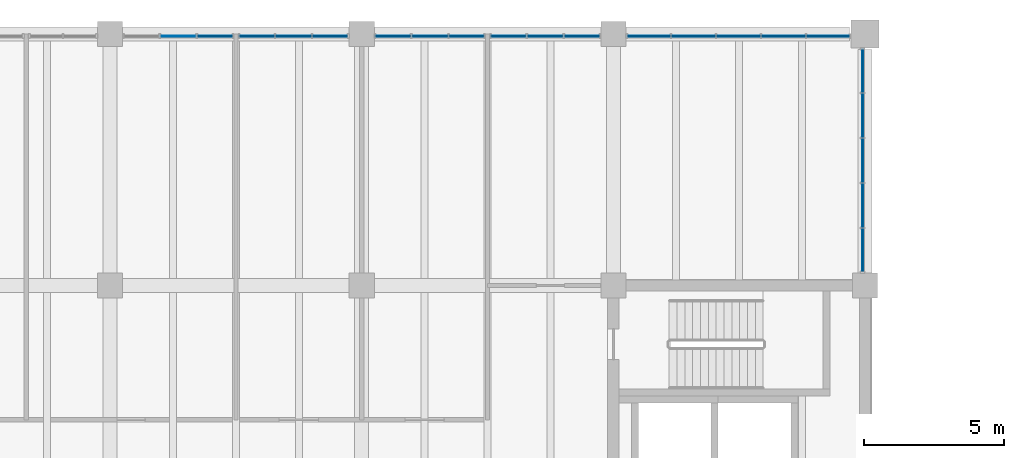
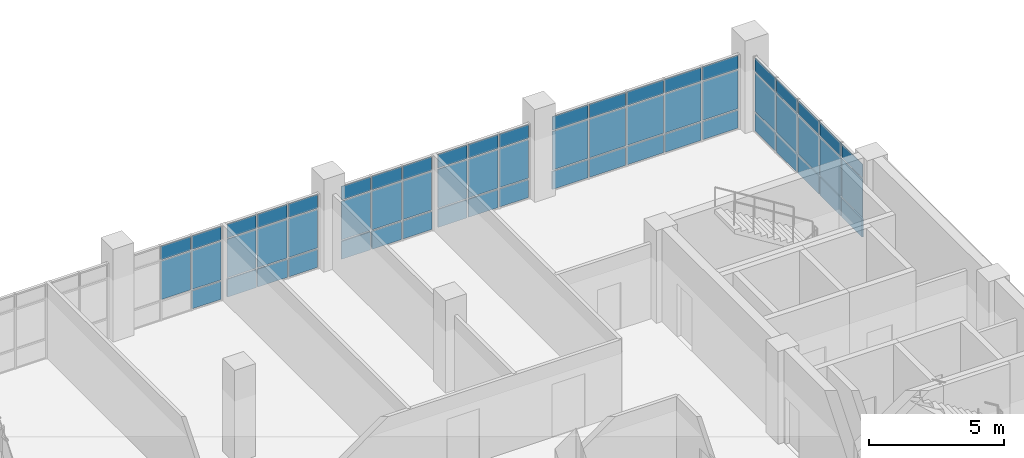
# One storey, part 48 of 88: 62 plates, 6 elements without a shape of their own.
"""IFC4 building model written with IfcOpenShell, lengths in metres."""

import ifcopenshell
import ifcopenshell.guid

model = None  # the IFC model being written
_history = None  # IfcOwnerHistory: only IFC2X3 demands one
_inside = {}  # id of a spatial element -> (the spatial element, [elements in it])
_under = {}  # id of a project, library or spatial element -> (it, [spatial elements below it])
_declared = {}  # id of a project -> (the project, [libraries it declares])
_typed = {}  # id of a type object -> (the type object, [elements of that type])
_made_of = {}  # id of a material, layer set ... -> (it, [elements and type objects made of it])


def new_model(schema):
    """Start an empty IFC model of exactly this schema.

    Asked for "IFC4X3", IfcOpenShell would pick the latest addendum, in which some entities
    have other attributes; the version numbers below select the first issue.
    IFC2X3 requires an IfcOwnerHistory on every rooted entity: one is made here for all.
    """
    global model, _history
    if schema == "IFC4X3":
        model = ifcopenshell.file(schema_version=(4, 3, 0, 0))
    else:
        model = ifcopenshell.file(schema=schema)
    _inside.clear()
    _under.clear()
    _declared.clear()
    _typed.clear()
    _made_of.clear()
    _history = None
    if model.schema == "IFC2X3":
        org = make("IfcOrganization", Name="unknown")
        user = make(
            "IfcPersonAndOrganization",
            ThePerson=make("IfcPerson", FamilyName="unknown"),
            TheOrganization=org,
        )
        app = make(
            "IfcApplication",
            ApplicationDeveloper=org,
            Version="unknown",
            ApplicationFullName="unknown",
            ApplicationIdentifier="unknown",
        )
        _history = make(
            "IfcOwnerHistory",
            OwningUser=user,
            OwningApplication=app,
            ChangeAction="ADDED",
            CreationDate=0,
        )
    return model


def make(cls, **values):
    """One entity of the class cls with the attributes given. An attribute that is None is left unset."""
    return model.create_entity(
        cls, **{name: value for name, value in values.items() if value is not None}
    )


def rooted(cls, **values):
    """An entity with a GlobalId (a new one), such as an element, a storey or a relation."""
    return make(cls, GlobalId=ifcopenshell.guid.new(), OwnerHistory=_history, **values)


def si_unit(unit_type, name, prefix=None):
    """IfcSIUnit, for example si_unit("LENGTHUNIT", "METRE", prefix="MILLI")."""
    return make("IfcSIUnit", UnitType=unit_type, Prefix=prefix, Name=name)


def assignment(units):
    """IfcUnitAssignment: the units of a project."""
    return None if units is None else make("IfcUnitAssignment", Units=units)


def point(xyz):
    """IfcCartesianPoint."""
    return None if xyz is None else make("IfcCartesianPoint", Coordinates=xyz)


def direction(xyz):
    """IfcDirection."""
    return None if xyz is None else make("IfcDirection", DirectionRatios=xyz)


def frame(location, z_axis=None, x_axis=None):
    """IfcAxis2Placement3D, a coordinate frame: its origin and axes. An axis left out is left unset."""
    return make(
        "IfcAxis2Placement3D",
        Location=point(location),
        Axis=direction(z_axis),
        RefDirection=direction(x_axis),
    )


def frame_2d(location, x_axis=None):
    """IfcAxis2Placement2D, a coordinate frame in the plane: its origin and x axis."""
    return make(
        "IfcAxis2Placement2D", Location=point(location), RefDirection=direction(x_axis)
    )


def origin():
    """The frame at (0, 0, 0) with its axes left unset."""
    return frame((0.0, 0.0, 0.0))


def origin_2d():
    """The frame at (0, 0) in the plane with its x axis left unset."""
    return frame_2d((0.0, 0.0))


def place(relative_to, where):
    """IfcLocalPlacement: puts the frame where relative to a parent placement (None: the world)."""
    return make(
        "IfcLocalPlacement", PlacementRelTo=relative_to, RelativePlacement=where
    )


def context(
    kind, dimensions, precision=None, world=None, true_north=None, identifier=None
):
    """IfcGeometricRepresentationContext, for example the 3D "Model" context."""
    return make(
        "IfcGeometricRepresentationContext",
        ContextIdentifier=identifier,
        ContextType=kind,
        CoordinateSpaceDimension=dimensions,
        Precision=precision,
        WorldCoordinateSystem=world,
        TrueNorth=true_north,
    )


def subcontext(parent, identifier, kind, view, scale=None):
    """IfcGeometricRepresentationSubContext, for example "Body" below "Model"."""
    return make(
        "IfcGeometricRepresentationSubContext",
        ContextIdentifier=identifier,
        ContextType=kind,
        ParentContext=parent,
        TargetScale=scale,
        TargetView=view,
    )


def project(units=None, contexts=None):
    """IfcProject with its units and contexts."""
    return rooted(
        "IfcProject",
        Name="project",
        RepresentationContexts=contexts,
        UnitsInContext=assignment(units),
    )


def spatial(cls, under=None, at=None, **own):
    """A site, building, storey or space (cls), placed at a placement, below another one or the project."""
    s = rooted(cls, ObjectPlacement=at, **own)
    if under is not None:
        _under.setdefault(under.id(), (under, []))[1].append(s)
    return s


def profile(cls, at=None, kind="AREA", **sizes):
    """A parametric profile (cls). Its sizes go by their IFC names, for example OverallWidth=200.0."""
    return make(cls, ProfileType=kind, Position=at, **sizes)


def rectangle(**sizes):
    """IfcRectangleProfileDef."""
    return profile("IfcRectangleProfileDef", **sizes)


def extrude(swept, where, along, depth):
    """IfcExtrudedAreaSolid: the profile swept, set in the frame where, extruded along a direction by depth."""
    return make(
        "IfcExtrudedAreaSolid",
        SweptArea=swept,
        Position=where,
        ExtrudedDirection=direction(along),
        Depth=depth,
    )


def shape(context_of_items, identifier, shape_type, items):
    """IfcShapeRepresentation: the items that make up one representation, for example the "Body"."""
    return make(
        "IfcShapeRepresentation",
        ContextOfItems=context_of_items,
        RepresentationIdentifier=identifier,
        RepresentationType=shape_type,
        Items=items,
    )


def material(Name=None, Category=None):
    """IfcMaterial."""
    return make("IfcMaterial", Name=Name, Category=Category)


def layer(
    of_material, thickness, ventilated=None, Name=None, Category=None, Priority=None
):
    """IfcMaterialLayer: one layer of a wall or slab, of a material (None: an air gap)."""
    return make(
        "IfcMaterialLayer",
        Material=of_material,
        LayerThickness=thickness,
        IsVentilated=ventilated,
        Name=Name,
        Category=Category,
        Priority=Priority,
    )


def layer_set(layers, Name=None):
    """IfcMaterialLayerSet."""
    return make("IfcMaterialLayerSet", MaterialLayers=layers, LayerSetName=Name)


def made_of(thing, what):
    """Note that an element or type object is made of a material, layer set ...; save() writes the relation."""
    if what is not None:
        _made_of.setdefault(what.id(), (what, []))[1].append(thing)
    return thing


def type_object(cls, material=None, **own):
    """A type object (cls), such as IfcWallType, which elements share."""
    return made_of(rooted(cls, **own), material)


def element(
    cls,
    number,
    at=None,
    inside=None,
    cuts=None,
    type_object=None,
    material=None,
    context=None,
    identifier="Body",
    shape_type=None,
    held_by="IfcProductDefinitionShape",
    body=None,
    shapes=None,
    **own,
):
    """One element of the class cls, such as IfcWall. Its Tag is "e" and its number.

    at: its placement. inside: the storey or other place that contains it. cuts: it is an
    opening in that element (IfcRelVoidsElement). A single representation is given by context,
    identifier, shape_type and body (its items); several are given by shapes. held_by: the class
    of the entity that holds the representations. save() writes the other relations.
    """
    e = rooted(cls, Tag="e%d" % number, ObjectPlacement=at, **own)
    if body is not None:
        shapes = [shape(context, identifier, shape_type, body)]
    if shapes is not None:
        e.Representation = make(held_by, Representations=shapes)
    if inside is not None:
        _inside.setdefault(inside.id(), (inside, []))[1].append(e)
    if cuts is not None:
        rooted(
            "IfcRelVoidsElement", RelatingBuildingElement=cuts, RelatedOpeningElement=e
        )
    if type_object is not None:
        _typed.setdefault(type_object.id(), (type_object, []))[1].append(e)
    return made_of(e, material)


def aggregate(whole, parts):
    """IfcRelAggregates: a whole, such as a stair, and the parts it consists of."""
    return rooted("IfcRelAggregates", RelatingObject=whole, RelatedObjects=parts)


def save(model, path):
    """Write the relations noted so far, then the file.

    IfcRelAggregates (storeys below a building ...), IfcRelContainedInSpatialStructure (elements
    in a storey), IfcRelDefinesByType, IfcRelAssociatesMaterial and IfcRelDeclares: one each for
    every whole, place, type object, material and project.
    """
    for whole, parts in _under.values():
        aggregate(whole, parts)
    for where, things in _inside.values():
        rooted(
            "IfcRelContainedInSpatialStructure",
            RelatedElements=things,
            RelatingStructure=where,
        )
    for kind, things in _typed.values():
        rooted("IfcRelDefinesByType", RelatedObjects=things, RelatingType=kind)
    for what, things in _made_of.values():
        rooted("IfcRelAssociatesMaterial", RelatedObjects=things, RelatingMaterial=what)
    for by, libraries in _declared.values():
        rooted("IfcRelDeclares", RelatingContext=by, RelatedDefinitions=libraries)
    model.write(path)


model = new_model("IFC4")

# Units and contexts
model_context = context("Model", 3, precision=1e-05, world=origin(), true_north=direction((0.0, 1.0)))
body_context = subcontext(model_context, "Body", "Model", "MODEL_VIEW")
ifc_project = project(units=[si_unit("LENGTHUNIT", "METRE"), si_unit("AREAUNIT", "SQUARE_METRE"), si_unit("VOLUMEUNIT", "CUBIC_METRE"), si_unit("PLANEANGLEUNIT", "RADIAN"), si_unit("MASSUNIT", "GRAM", prefix="KILO")], contexts=[model_context])

# Site, building, storey
site_placement = place(None, origin())
site = spatial("IfcSite", under=ifc_project, at=site_placement, CompositionType="ELEMENT")
building_placement = place(site_placement, origin())
building = spatial("IfcBuilding", under=site, at=building_placement, Name="Merrow Basin Faculty of Sciences", CompositionType="ELEMENT")
storey_placement = place(building_placement, frame((0.0, 0.0, 9.0)))
storey = spatial("IfcBuildingStorey", under=building, at=storey_placement, Name="L02", CompositionType="ELEMENT", Elevation=9.0)

# Curtain wall, plate
ifc_material_1 = material(Name="Aluminium alloy 6063", Category="aluminium")
curtain_wall_type = type_object("IfcCurtainWallType", Name="Unitised curtain wall 160", PredefinedType="NOTDEFINED", material=ifc_material_1)
curtain_wall_1_placement = place(storey_placement, origin())
curtain_wall_1 = element("IfcCurtainWall", 1, at=curtain_wall_1_placement, inside=storey, type_object=curtain_wall_type, Name="N curtain wall L02 3", PredefinedType="NOTDEFINED")
ifc_material_2 = material(Name="Insulated aluminium spandrel panel", Category="aluminium")
ifc_layer_1 = layer(ifc_material_2, 0.052001953125)
ifc_layer_set_1 = layer_set([ifc_layer_1], Name="Insulated spandrel panel 52")
plate_type_1 = type_object("IfcPlateType", Name="Insulated spandrel panel 52", PredefinedType="CURTAIN_PANEL", material=ifc_layer_set_1)
plate_1_placement = place(storey_placement, frame((30.74755859375, 168.919921875, 0.06005859375), z_axis=(0.0, 0.0, 1.0), x_axis=(1.0, 0.0, 0.0)))
plate_1 = element("IfcPlate", 2, at=plate_1_placement, type_object=plate_type_1, Name="CW3 panel 3.1", PredefinedType="CURTAIN_PANEL", context=body_context, shape_type="SweptSolid", body=[
    extrude(rectangle(XDim=1.235107421875, YDim=0.052001953125, at=origin_2d()), origin(), (0.0, 0.0, 1.0), 0.81005859375),
])

# Curtain wall, plates
curtain_wall_2_placement = place(storey_placement, origin())
curtain_wall_2 = element("IfcCurtainWall", 3, at=curtain_wall_2_placement, inside=storey, type_object=curtain_wall_type, Name="N curtain wall L02 4", PredefinedType="NOTDEFINED")
plate_2_placement = place(storey_placement, frame((32.25244140625, 168.919921875, 0.06005859375), z_axis=(0.0, 0.0, 1.0), x_axis=(1.0, 0.0, 0.0)))
plate_2 = element("IfcPlate", 4, at=plate_2_placement, type_object=plate_type_1, Name="CW3 panel 1.1", PredefinedType="CURTAIN_PANEL", context=body_context, shape_type="SweptSolid", body=[
    extrude(rectangle(XDim=1.235107421875, YDim=0.052001953125, at=origin_2d()), origin(), (0.0, 0.0, 1.0), 0.81005859375),
])
plate_3_placement = place(storey_placement, frame((33.5625, 168.919921875, 0.06005859375), z_axis=(0.0, 0.0, 1.0), x_axis=(1.0, 0.0, 0.0)))
plate_3 = element("IfcPlate", 5, at=plate_3_placement, type_object=plate_type_1, Name="CW3 panel 2.1", PredefinedType="CURTAIN_PANEL", context=body_context, shape_type="SweptSolid", body=[
    extrude(rectangle(XDim=1.264892578125, YDim=0.052001953125, at=origin_2d()), origin(), (0.0, 0.0, 1.0), 0.81005859375),
])
plate_4_placement = place(storey_placement, frame((34.87255859375, 168.919921875, 0.06005859375), z_axis=(0.0, 0.0, 1.0), x_axis=(1.0, 0.0, 0.0)))
plate_4 = element("IfcPlate", 6, at=plate_4_placement, type_object=plate_type_1, Name="CW3 panel 3.1", PredefinedType="CURTAIN_PANEL", context=body_context, shape_type="SweptSolid", body=[
    extrude(rectangle(XDim=1.235107421875, YDim=0.052001953125, at=origin_2d()), origin(), (0.0, 0.0, 1.0), 0.81005859375),
])

curtain_wall_3_placement = place(storey_placement, origin())
curtain_wall_3 = element("IfcCurtainWall", 7, at=curtain_wall_3_placement, inside=storey, type_object=curtain_wall_type, Name="N curtain wall L02 5", PredefinedType="NOTDEFINED")
plate_5_placement = place(storey_placement, frame((37.12744140625, 168.919921875, 0.06005859375), z_axis=(0.0, 0.0, 1.0), x_axis=(1.0, 0.0, 0.0)))
plate_5 = element("IfcPlate", 8, at=plate_5_placement, type_object=plate_type_1, Name="CW3 panel 1.1", PredefinedType="CURTAIN_PANEL", context=body_context, shape_type="SweptSolid", body=[
    extrude(rectangle(XDim=1.235107421875, YDim=0.052001953125, at=origin_2d()), origin(), (0.0, 0.0, 1.0), 0.81005859375),
])
plate_6_placement = place(storey_placement, frame((38.4375, 168.919921875, 0.06005859375), z_axis=(0.0, 0.0, 1.0), x_axis=(1.0, 0.0, 0.0)))
plate_6 = element("IfcPlate", 9, at=plate_6_placement, type_object=plate_type_1, Name="CW3 panel 2.1", PredefinedType="CURTAIN_PANEL", context=body_context, shape_type="SweptSolid", body=[
    extrude(rectangle(XDim=1.264892578125, YDim=0.052001953125, at=origin_2d()), origin(), (0.0, 0.0, 1.0), 0.81005859375),
])
plate_7_placement = place(storey_placement, frame((39.74755859375, 168.919921875, 0.06005859375), z_axis=(0.0, 0.0, 1.0), x_axis=(1.0, 0.0, 0.0)))
plate_7 = element("IfcPlate", 10, at=plate_7_placement, type_object=plate_type_1, Name="CW3 panel 3.1", PredefinedType="CURTAIN_PANEL", context=body_context, shape_type="SweptSolid", body=[
    extrude(rectangle(XDim=1.235107421875, YDim=0.052001953125, at=origin_2d()), origin(), (0.0, 0.0, 1.0), 0.81005859375),
])

curtain_wall_4_placement = place(storey_placement, origin())
curtain_wall_4 = element("IfcCurtainWall", 11, at=curtain_wall_4_placement, inside=storey, type_object=curtain_wall_type, Name="N curtain wall L02 6", PredefinedType="NOTDEFINED")
plate_8_placement = place(storey_placement, frame((41.25244140625, 168.919921875, 0.06005859375), z_axis=(0.0, 0.0, 1.0), x_axis=(1.0, 0.0, 0.0)))
plate_8 = element("IfcPlate", 12, at=plate_8_placement, type_object=plate_type_1, Name="CW3 panel 1.1", PredefinedType="CURTAIN_PANEL", context=body_context, shape_type="SweptSolid", body=[
    extrude(rectangle(XDim=1.235107421875, YDim=0.052001953125, at=origin_2d()), origin(), (0.0, 0.0, 1.0), 0.81005859375),
])
plate_9_placement = place(storey_placement, frame((42.5625, 168.919921875, 0.06005859375), z_axis=(0.0, 0.0, 1.0), x_axis=(1.0, 0.0, 0.0)))
plate_9 = element("IfcPlate", 13, at=plate_9_placement, type_object=plate_type_1, Name="CW3 panel 2.1", PredefinedType="CURTAIN_PANEL", context=body_context, shape_type="SweptSolid", body=[
    extrude(rectangle(XDim=1.264892578125, YDim=0.052001953125, at=origin_2d()), origin(), (0.0, 0.0, 1.0), 0.81005859375),
])
plate_10_placement = place(storey_placement, frame((43.87255859375, 168.919921875, 0.06005859375), z_axis=(0.0, 0.0, 1.0), x_axis=(1.0, 0.0, 0.0)))
plate_10 = element("IfcPlate", 14, at=plate_10_placement, type_object=plate_type_1, Name="CW3 panel 3.1", PredefinedType="CURTAIN_PANEL", context=body_context, shape_type="SweptSolid", body=[
    extrude(rectangle(XDim=1.235107421875, YDim=0.052001953125, at=origin_2d()), origin(), (0.0, 0.0, 1.0), 0.81005859375),
])

curtain_wall_5_placement = place(storey_placement, origin())
curtain_wall_5 = element("IfcCurtainWall", 15, at=curtain_wall_5_placement, inside=storey, type_object=curtain_wall_type, Name="N curtain wall L02 7", PredefinedType="NOTDEFINED")
plate_11_placement = place(storey_placement, frame((46.27001953125, 168.919921875, 0.06005859375), z_axis=(0.0, 0.0, 1.0), x_axis=(1.0, 0.0, 0.0)))
plate_11 = element("IfcPlate", 16, at=plate_11_placement, type_object=plate_type_1, Name="CW3 panel 1.1", PredefinedType="CURTAIN_PANEL", context=body_context, shape_type="SweptSolid", body=[
    extrude(rectangle(XDim=1.52001953125, YDim=0.052001953125, at=origin_2d()), origin(), (0.0, 0.0, 1.0), 0.81005859375),
])
plate_12_placement = place(storey_placement, frame((47.864990234375, 168.919921875, 0.06005859375), z_axis=(0.0, 0.0, 1.0), x_axis=(1.0, 0.0, 0.0)))
plate_12 = element("IfcPlate", 17, at=plate_12_placement, type_object=plate_type_1, Name="CW3 panel 2.1", PredefinedType="CURTAIN_PANEL", context=body_context, shape_type="SweptSolid", body=[
    extrude(rectangle(XDim=1.550048828125, YDim=0.052001953125, at=origin_2d()), origin(), (0.0, 0.0, 1.0), 0.81005859375),
])
plate_13_placement = place(storey_placement, frame((49.47509765625, 168.919921875, 0.06005859375), z_axis=(0.0, 0.0, 1.0), x_axis=(1.0, 0.0, 0.0)))
plate_13 = element("IfcPlate", 18, at=plate_13_placement, type_object=plate_type_1, Name="CW3 panel 3.1", PredefinedType="CURTAIN_PANEL", context=body_context, shape_type="SweptSolid", body=[
    extrude(rectangle(XDim=1.550048828125, YDim=0.052001953125, at=origin_2d()), origin(), (0.0, 0.0, 1.0), 0.81005859375),
])
plate_14_placement = place(storey_placement, frame((51.0849609375, 168.919921875, 0.06005859375), z_axis=(0.0, 0.0, 1.0), x_axis=(1.0, 0.0, 0.0)))
plate_14 = element("IfcPlate", 19, at=plate_14_placement, type_object=plate_type_1, Name="CW3 panel 4.1", PredefinedType="CURTAIN_PANEL", context=body_context, shape_type="SweptSolid", body=[
    extrude(rectangle(XDim=1.550048828125, YDim=0.052001953125, at=origin_2d()), origin(), (0.0, 0.0, 1.0), 0.81005859375),
])
plate_15_placement = place(storey_placement, frame((52.679931640625, 168.919921875, 0.06005859375), z_axis=(0.0, 0.0, 1.0), x_axis=(1.0, 0.0, 0.0)))
plate_15 = element("IfcPlate", 20, at=plate_15_placement, type_object=plate_type_1, Name="CW3 panel 5.1", PredefinedType="CURTAIN_PANEL", context=body_context, shape_type="SweptSolid", body=[
    extrude(rectangle(XDim=1.52001953125, YDim=0.052001953125, at=origin_2d()), origin(), (0.0, 0.0, 1.0), 0.81005859375),
])

curtain_wall_6_placement = place(storey_placement, origin())
curtain_wall_6 = element("IfcCurtainWall", 21, at=curtain_wall_6_placement, inside=storey, type_object=curtain_wall_type, Name="E curtain wall L02 1", PredefinedType="NOTDEFINED")
plate_16_placement = place(storey_placement, frame((53.919921875, 161.27001953125, 0.06005859375), z_axis=(0.0, 0.0, 1.0), x_axis=(0.0, 1.0, 0.0)))
plate_16 = element("IfcPlate", 22, at=plate_16_placement, type_object=plate_type_1, Name="CW3 panel 1.1", PredefinedType="CURTAIN_PANEL", context=body_context, shape_type="SweptSolid", body=[
    extrude(rectangle(XDim=1.52001953125, YDim=0.052001953125, at=origin_2d()), origin(), (0.0, 0.0, 1.0), 0.81005859375),
])
plate_17_placement = place(storey_placement, frame((53.919921875, 162.864990234375, 0.06005859375), z_axis=(0.0, 0.0, 1.0), x_axis=(0.0, 1.0, 0.0)))
plate_17 = element("IfcPlate", 23, at=plate_17_placement, type_object=plate_type_1, Name="CW3 panel 2.1", PredefinedType="CURTAIN_PANEL", context=body_context, shape_type="SweptSolid", body=[
    extrude(rectangle(XDim=1.550048828125, YDim=0.052001953125, at=origin_2d()), origin(), (0.0, 0.0, 1.0), 0.81005859375),
])
plate_18_placement = place(storey_placement, frame((53.919921875, 164.47509765625, 0.06005859375), z_axis=(0.0, 0.0, 1.0), x_axis=(0.0, 1.0, 0.0)))
plate_18 = element("IfcPlate", 24, at=plate_18_placement, type_object=plate_type_1, Name="CW3 panel 3.1", PredefinedType="CURTAIN_PANEL", context=body_context, shape_type="SweptSolid", body=[
    extrude(rectangle(XDim=1.550048828125, YDim=0.052001953125, at=origin_2d()), origin(), (0.0, 0.0, 1.0), 0.81005859375),
])
plate_19_placement = place(storey_placement, frame((53.919921875, 166.0849609375, 0.06005859375), z_axis=(0.0, 0.0, 1.0), x_axis=(0.0, 1.0, 0.0)))
plate_19 = element("IfcPlate", 25, at=plate_19_placement, type_object=plate_type_1, Name="CW3 panel 4.1", PredefinedType="CURTAIN_PANEL", context=body_context, shape_type="SweptSolid", body=[
    extrude(rectangle(XDim=1.550048828125, YDim=0.052001953125, at=origin_2d()), origin(), (0.0, 0.0, 1.0), 0.81005859375),
])
plate_20_placement = place(storey_placement, frame((53.919921875, 167.679931640625, 0.06005859375), z_axis=(0.0, 0.0, 1.0), x_axis=(0.0, 1.0, 0.0)))
plate_20 = element("IfcPlate", 26, at=plate_20_placement, type_object=plate_type_1, Name="CW3 panel 5.1", PredefinedType="CURTAIN_PANEL", context=body_context, shape_type="SweptSolid", body=[
    extrude(rectangle(XDim=1.52001953125, YDim=0.052001953125, at=origin_2d()), origin(), (0.0, 0.0, 1.0), 0.81005859375),
])

# Plate
ifc_material_3 = material(Name="Low-E double glazing", Category="glass")
ifc_layer_2 = layer(ifc_material_3, 0.028076171875)
ifc_layer_set_2 = layer_set([ifc_layer_2], Name="Low-E double glazed panel 28")
plate_type_2 = type_object("IfcPlateType", Name="Low-E double glazed panel 28", PredefinedType="CURTAIN_PANEL", material=ifc_layer_set_2)
plate_21_placement = place(storey_placement, frame((29.4375, 168.919921875, 0.93017578125), z_axis=(0.0, 0.0, 1.0), x_axis=(1.0, 0.0, 0.0)))
plate_21 = element("IfcPlate", 27, at=plate_21_placement, type_object=plate_type_2, Name="CW3 panel 2.2", PredefinedType="CURTAIN_PANEL", context=body_context, shape_type="SweptSolid", body=[
    extrude(rectangle(XDim=1.264892578125, YDim=0.028076171875, at=origin_2d()), origin(), (0.0, 0.0, 1.0), 1.739990234375),
])

plate_22_placement = place(storey_placement, frame((29.4375, 168.919921875, 2.72998046875), z_axis=(0.0, 0.0, 1.0), x_axis=(1.0, 0.0, 0.0)))
plate_22 = element("IfcPlate", 28, at=plate_22_placement, type_object=plate_type_2, Name="CW3 panel 2.3", PredefinedType="CURTAIN_PANEL", context=body_context, shape_type="SweptSolid", body=[
    extrude(rectangle(XDim=1.264892578125, YDim=0.028076171875, at=origin_2d()), origin(), (0.0, 0.0, 1.0), 0.610107421875),
])

plate_23_placement = place(storey_placement, frame((30.74755859375, 168.919921875, 0.93017578125), z_axis=(0.0, 0.0, 1.0), x_axis=(1.0, 0.0, 0.0)))
plate_23 = element("IfcPlate", 29, at=plate_23_placement, type_object=plate_type_2, Name="CW3 panel 3.2", PredefinedType="CURTAIN_PANEL", context=body_context, shape_type="SweptSolid", body=[
    extrude(rectangle(XDim=1.235107421875, YDim=0.028076171875, at=origin_2d()), origin(), (0.0, 0.0, 1.0), 1.739990234375),
])

plate_24_placement = place(storey_placement, frame((30.74755859375, 168.919921875, 2.72998046875), z_axis=(0.0, 0.0, 1.0), x_axis=(1.0, 0.0, 0.0)))
plate_24 = element("IfcPlate", 30, at=plate_24_placement, type_object=plate_type_2, Name="CW3 panel 3.3", PredefinedType="CURTAIN_PANEL", context=body_context, shape_type="SweptSolid", body=[
    extrude(rectangle(XDim=1.235107421875, YDim=0.028076171875, at=origin_2d()), origin(), (0.0, 0.0, 1.0), 0.610107421875),
])

aggregate(curtain_wall_1, [plate_21, plate_22, plate_1, plate_23, plate_24])

plate_25_placement = place(storey_placement, frame((32.25244140625, 168.919921875, 0.93017578125), z_axis=(0.0, 0.0, 1.0), x_axis=(1.0, 0.0, 0.0)))
plate_25 = element("IfcPlate", 31, at=plate_25_placement, type_object=plate_type_2, Name="CW3 panel 1.2", PredefinedType="CURTAIN_PANEL", context=body_context, shape_type="SweptSolid", body=[
    extrude(rectangle(XDim=1.235107421875, YDim=0.028076171875, at=origin_2d()), origin(), (0.0, 0.0, 1.0), 1.739990234375),
])

plate_26_placement = place(storey_placement, frame((32.25244140625, 168.919921875, 2.72998046875), z_axis=(0.0, 0.0, 1.0), x_axis=(1.0, 0.0, 0.0)))
plate_26 = element("IfcPlate", 32, at=plate_26_placement, type_object=plate_type_2, Name="CW3 panel 1.3", PredefinedType="CURTAIN_PANEL", context=body_context, shape_type="SweptSolid", body=[
    extrude(rectangle(XDim=1.235107421875, YDim=0.028076171875, at=origin_2d()), origin(), (0.0, 0.0, 1.0), 0.610107421875),
])

plate_27_placement = place(storey_placement, frame((33.5625, 168.919921875, 0.93017578125), z_axis=(0.0, 0.0, 1.0), x_axis=(1.0, 0.0, 0.0)))
plate_27 = element("IfcPlate", 33, at=plate_27_placement, type_object=plate_type_2, Name="CW3 panel 2.2", PredefinedType="CURTAIN_PANEL", context=body_context, shape_type="SweptSolid", body=[
    extrude(rectangle(XDim=1.264892578125, YDim=0.028076171875, at=origin_2d()), origin(), (0.0, 0.0, 1.0), 1.739990234375),
])

plate_28_placement = place(storey_placement, frame((33.5625, 168.919921875, 2.72998046875), z_axis=(0.0, 0.0, 1.0), x_axis=(1.0, 0.0, 0.0)))
plate_28 = element("IfcPlate", 34, at=plate_28_placement, type_object=plate_type_2, Name="CW3 panel 2.3", PredefinedType="CURTAIN_PANEL", context=body_context, shape_type="SweptSolid", body=[
    extrude(rectangle(XDim=1.264892578125, YDim=0.028076171875, at=origin_2d()), origin(), (0.0, 0.0, 1.0), 0.610107421875),
])

plate_29_placement = place(storey_placement, frame((34.87255859375, 168.919921875, 0.93017578125), z_axis=(0.0, 0.0, 1.0), x_axis=(1.0, 0.0, 0.0)))
plate_29 = element("IfcPlate", 35, at=plate_29_placement, type_object=plate_type_2, Name="CW3 panel 3.2", PredefinedType="CURTAIN_PANEL", context=body_context, shape_type="SweptSolid", body=[
    extrude(rectangle(XDim=1.235107421875, YDim=0.028076171875, at=origin_2d()), origin(), (0.0, 0.0, 1.0), 1.739990234375),
])

plate_30_placement = place(storey_placement, frame((34.87255859375, 168.919921875, 2.72998046875), z_axis=(0.0, 0.0, 1.0), x_axis=(1.0, 0.0, 0.0)))
plate_30 = element("IfcPlate", 36, at=plate_30_placement, type_object=plate_type_2, Name="CW3 panel 3.3", PredefinedType="CURTAIN_PANEL", context=body_context, shape_type="SweptSolid", body=[
    extrude(rectangle(XDim=1.235107421875, YDim=0.028076171875, at=origin_2d()), origin(), (0.0, 0.0, 1.0), 0.610107421875),
])

aggregate(curtain_wall_2, [plate_2, plate_25, plate_26, plate_3, plate_27, plate_28, plate_4, plate_29, plate_30])

plate_31_placement = place(storey_placement, frame((37.12744140625, 168.919921875, 0.93017578125), z_axis=(0.0, 0.0, 1.0), x_axis=(1.0, 0.0, 0.0)))
plate_31 = element("IfcPlate", 37, at=plate_31_placement, type_object=plate_type_2, Name="CW3 panel 1.2", PredefinedType="CURTAIN_PANEL", context=body_context, shape_type="SweptSolid", body=[
    extrude(rectangle(XDim=1.235107421875, YDim=0.028076171875, at=origin_2d()), origin(), (0.0, 0.0, 1.0), 1.739990234375),
])

plate_32_placement = place(storey_placement, frame((37.12744140625, 168.919921875, 2.72998046875), z_axis=(0.0, 0.0, 1.0), x_axis=(1.0, 0.0, 0.0)))
plate_32 = element("IfcPlate", 38, at=plate_32_placement, type_object=plate_type_2, Name="CW3 panel 1.3", PredefinedType="CURTAIN_PANEL", context=body_context, shape_type="SweptSolid", body=[
    extrude(rectangle(XDim=1.235107421875, YDim=0.028076171875, at=origin_2d()), origin(), (0.0, 0.0, 1.0), 0.610107421875),
])

plate_33_placement = place(storey_placement, frame((38.4375, 168.919921875, 0.93017578125), z_axis=(0.0, 0.0, 1.0), x_axis=(1.0, 0.0, 0.0)))
plate_33 = element("IfcPlate", 39, at=plate_33_placement, type_object=plate_type_2, Name="CW3 panel 2.2", PredefinedType="CURTAIN_PANEL", context=body_context, shape_type="SweptSolid", body=[
    extrude(rectangle(XDim=1.264892578125, YDim=0.028076171875, at=origin_2d()), origin(), (0.0, 0.0, 1.0), 1.739990234375),
])

plate_34_placement = place(storey_placement, frame((38.4375, 168.919921875, 2.72998046875), z_axis=(0.0, 0.0, 1.0), x_axis=(1.0, 0.0, 0.0)))
plate_34 = element("IfcPlate", 40, at=plate_34_placement, type_object=plate_type_2, Name="CW3 panel 2.3", PredefinedType="CURTAIN_PANEL", context=body_context, shape_type="SweptSolid", body=[
    extrude(rectangle(XDim=1.264892578125, YDim=0.028076171875, at=origin_2d()), origin(), (0.0, 0.0, 1.0), 0.610107421875),
])

plate_35_placement = place(storey_placement, frame((39.74755859375, 168.919921875, 0.93017578125), z_axis=(0.0, 0.0, 1.0), x_axis=(1.0, 0.0, 0.0)))
plate_35 = element("IfcPlate", 41, at=plate_35_placement, type_object=plate_type_2, Name="CW3 panel 3.2", PredefinedType="CURTAIN_PANEL", context=body_context, shape_type="SweptSolid", body=[
    extrude(rectangle(XDim=1.235107421875, YDim=0.028076171875, at=origin_2d()), origin(), (0.0, 0.0, 1.0), 1.739990234375),
])

plate_36_placement = place(storey_placement, frame((39.74755859375, 168.919921875, 2.72998046875), z_axis=(0.0, 0.0, 1.0), x_axis=(1.0, 0.0, 0.0)))
plate_36 = element("IfcPlate", 42, at=plate_36_placement, type_object=plate_type_2, Name="CW3 panel 3.3", PredefinedType="CURTAIN_PANEL", context=body_context, shape_type="SweptSolid", body=[
    extrude(rectangle(XDim=1.235107421875, YDim=0.028076171875, at=origin_2d()), origin(), (0.0, 0.0, 1.0), 0.610107421875),
])

aggregate(curtain_wall_3, [plate_5, plate_31, plate_32, plate_6, plate_33, plate_34, plate_7, plate_35, plate_36])

plate_37_placement = place(storey_placement, frame((41.25244140625, 168.919921875, 0.93017578125), z_axis=(0.0, 0.0, 1.0), x_axis=(1.0, 0.0, 0.0)))
plate_37 = element("IfcPlate", 43, at=plate_37_placement, type_object=plate_type_2, Name="CW3 panel 1.2", PredefinedType="CURTAIN_PANEL", context=body_context, shape_type="SweptSolid", body=[
    extrude(rectangle(XDim=1.235107421875, YDim=0.028076171875, at=origin_2d()), origin(), (0.0, 0.0, 1.0), 1.739990234375),
])

plate_38_placement = place(storey_placement, frame((41.25244140625, 168.919921875, 2.72998046875), z_axis=(0.0, 0.0, 1.0), x_axis=(1.0, 0.0, 0.0)))
plate_38 = element("IfcPlate", 44, at=plate_38_placement, type_object=plate_type_2, Name="CW3 panel 1.3", PredefinedType="CURTAIN_PANEL", context=body_context, shape_type="SweptSolid", body=[
    extrude(rectangle(XDim=1.235107421875, YDim=0.028076171875, at=origin_2d()), origin(), (0.0, 0.0, 1.0), 0.610107421875),
])

plate_39_placement = place(storey_placement, frame((42.5625, 168.919921875, 0.93017578125), z_axis=(0.0, 0.0, 1.0), x_axis=(1.0, 0.0, 0.0)))
plate_39 = element("IfcPlate", 45, at=plate_39_placement, type_object=plate_type_2, Name="CW3 panel 2.2", PredefinedType="CURTAIN_PANEL", context=body_context, shape_type="SweptSolid", body=[
    extrude(rectangle(XDim=1.264892578125, YDim=0.028076171875, at=origin_2d()), origin(), (0.0, 0.0, 1.0), 1.739990234375),
])

plate_40_placement = place(storey_placement, frame((42.5625, 168.919921875, 2.72998046875), z_axis=(0.0, 0.0, 1.0), x_axis=(1.0, 0.0, 0.0)))
plate_40 = element("IfcPlate", 46, at=plate_40_placement, type_object=plate_type_2, Name="CW3 panel 2.3", PredefinedType="CURTAIN_PANEL", context=body_context, shape_type="SweptSolid", body=[
    extrude(rectangle(XDim=1.264892578125, YDim=0.028076171875, at=origin_2d()), origin(), (0.0, 0.0, 1.0), 0.610107421875),
])

plate_41_placement = place(storey_placement, frame((43.87255859375, 168.919921875, 0.93017578125), z_axis=(0.0, 0.0, 1.0), x_axis=(1.0, 0.0, 0.0)))
plate_41 = element("IfcPlate", 47, at=plate_41_placement, type_object=plate_type_2, Name="CW3 panel 3.2", PredefinedType="CURTAIN_PANEL", context=body_context, shape_type="SweptSolid", body=[
    extrude(rectangle(XDim=1.235107421875, YDim=0.028076171875, at=origin_2d()), origin(), (0.0, 0.0, 1.0), 1.739990234375),
])

plate_42_placement = place(storey_placement, frame((43.87255859375, 168.919921875, 2.72998046875), z_axis=(0.0, 0.0, 1.0), x_axis=(1.0, 0.0, 0.0)))
plate_42 = element("IfcPlate", 48, at=plate_42_placement, type_object=plate_type_2, Name="CW3 panel 3.3", PredefinedType="CURTAIN_PANEL", context=body_context, shape_type="SweptSolid", body=[
    extrude(rectangle(XDim=1.235107421875, YDim=0.028076171875, at=origin_2d()), origin(), (0.0, 0.0, 1.0), 0.610107421875),
])

aggregate(curtain_wall_4, [plate_8, plate_37, plate_38, plate_9, plate_39, plate_40, plate_10, plate_41, plate_42])

plate_43_placement = place(storey_placement, frame((46.27001953125, 168.919921875, 0.93017578125), z_axis=(0.0, 0.0, 1.0), x_axis=(1.0, 0.0, 0.0)))
plate_43 = element("IfcPlate", 49, at=plate_43_placement, type_object=plate_type_2, Name="CW3 panel 1.2", PredefinedType="CURTAIN_PANEL", context=body_context, shape_type="SweptSolid", body=[
    extrude(rectangle(XDim=1.52001953125, YDim=0.028076171875, at=origin_2d()), origin(), (0.0, 0.0, 1.0), 1.739990234375),
])

plate_44_placement = place(storey_placement, frame((46.27001953125, 168.919921875, 2.72998046875), z_axis=(0.0, 0.0, 1.0), x_axis=(1.0, 0.0, 0.0)))
plate_44 = element("IfcPlate", 50, at=plate_44_placement, type_object=plate_type_2, Name="CW3 panel 1.3", PredefinedType="CURTAIN_PANEL", context=body_context, shape_type="SweptSolid", body=[
    extrude(rectangle(XDim=1.52001953125, YDim=0.028076171875, at=origin_2d()), origin(), (0.0, 0.0, 1.0), 0.610107421875),
])

plate_45_placement = place(storey_placement, frame((47.864990234375, 168.919921875, 0.93017578125), z_axis=(0.0, 0.0, 1.0), x_axis=(1.0, 0.0, 0.0)))
plate_45 = element("IfcPlate", 51, at=plate_45_placement, type_object=plate_type_2, Name="CW3 panel 2.2", PredefinedType="CURTAIN_PANEL", context=body_context, shape_type="SweptSolid", body=[
    extrude(rectangle(XDim=1.550048828125, YDim=0.028076171875, at=origin_2d()), origin(), (0.0, 0.0, 1.0), 1.739990234375),
])

plate_46_placement = place(storey_placement, frame((47.864990234375, 168.919921875, 2.72998046875), z_axis=(0.0, 0.0, 1.0), x_axis=(1.0, 0.0, 0.0)))
plate_46 = element("IfcPlate", 52, at=plate_46_placement, type_object=plate_type_2, Name="CW3 panel 2.3", PredefinedType="CURTAIN_PANEL", context=body_context, shape_type="SweptSolid", body=[
    extrude(rectangle(XDim=1.550048828125, YDim=0.028076171875, at=origin_2d()), origin(), (0.0, 0.0, 1.0), 0.610107421875),
])

plate_47_placement = place(storey_placement, frame((49.47509765625, 168.919921875, 0.93017578125), z_axis=(0.0, 0.0, 1.0), x_axis=(1.0, 0.0, 0.0)))
plate_47 = element("IfcPlate", 53, at=plate_47_placement, type_object=plate_type_2, Name="CW3 panel 3.2", PredefinedType="CURTAIN_PANEL", context=body_context, shape_type="SweptSolid", body=[
    extrude(rectangle(XDim=1.550048828125, YDim=0.028076171875, at=origin_2d()), origin(), (0.0, 0.0, 1.0), 1.739990234375),
])

plate_48_placement = place(storey_placement, frame((49.47509765625, 168.919921875, 2.72998046875), z_axis=(0.0, 0.0, 1.0), x_axis=(1.0, 0.0, 0.0)))
plate_48 = element("IfcPlate", 54, at=plate_48_placement, type_object=plate_type_2, Name="CW3 panel 3.3", PredefinedType="CURTAIN_PANEL", context=body_context, shape_type="SweptSolid", body=[
    extrude(rectangle(XDim=1.550048828125, YDim=0.028076171875, at=origin_2d()), origin(), (0.0, 0.0, 1.0), 0.610107421875),
])

plate_49_placement = place(storey_placement, frame((51.0849609375, 168.919921875, 0.93017578125), z_axis=(0.0, 0.0, 1.0), x_axis=(1.0, 0.0, 0.0)))
plate_49 = element("IfcPlate", 55, at=plate_49_placement, type_object=plate_type_2, Name="CW3 panel 4.2", PredefinedType="CURTAIN_PANEL", context=body_context, shape_type="SweptSolid", body=[
    extrude(rectangle(XDim=1.550048828125, YDim=0.028076171875, at=origin_2d()), origin(), (0.0, 0.0, 1.0), 1.739990234375),
])

plate_50_placement = place(storey_placement, frame((51.0849609375, 168.919921875, 2.72998046875), z_axis=(0.0, 0.0, 1.0), x_axis=(1.0, 0.0, 0.0)))
plate_50 = element("IfcPlate", 56, at=plate_50_placement, type_object=plate_type_2, Name="CW3 panel 4.3", PredefinedType="CURTAIN_PANEL", context=body_context, shape_type="SweptSolid", body=[
    extrude(rectangle(XDim=1.550048828125, YDim=0.028076171875, at=origin_2d()), origin(), (0.0, 0.0, 1.0), 0.610107421875),
])

plate_51_placement = place(storey_placement, frame((52.679931640625, 168.919921875, 0.93017578125), z_axis=(0.0, 0.0, 1.0), x_axis=(1.0, 0.0, 0.0)))
plate_51 = element("IfcPlate", 57, at=plate_51_placement, type_object=plate_type_2, Name="CW3 panel 5.2", PredefinedType="CURTAIN_PANEL", context=body_context, shape_type="SweptSolid", body=[
    extrude(rectangle(XDim=1.52001953125, YDim=0.028076171875, at=origin_2d()), origin(), (0.0, 0.0, 1.0), 1.739990234375),
])

plate_52_placement = place(storey_placement, frame((52.679931640625, 168.919921875, 2.72998046875), z_axis=(0.0, 0.0, 1.0), x_axis=(1.0, 0.0, 0.0)))
plate_52 = element("IfcPlate", 58, at=plate_52_placement, type_object=plate_type_2, Name="CW3 panel 5.3", PredefinedType="CURTAIN_PANEL", context=body_context, shape_type="SweptSolid", body=[
    extrude(rectangle(XDim=1.52001953125, YDim=0.028076171875, at=origin_2d()), origin(), (0.0, 0.0, 1.0), 0.610107421875),
])

aggregate(curtain_wall_5, [plate_11, plate_43, plate_44, plate_12, plate_45, plate_46, plate_13, plate_47, plate_48, plate_14, plate_49, plate_50, plate_15, plate_51, plate_52])

plate_53_placement = place(storey_placement, frame((53.919921875, 161.27001953125, 0.93017578125), z_axis=(0.0, 0.0, 1.0), x_axis=(0.0, 1.0, 0.0)))
plate_53 = element("IfcPlate", 59, at=plate_53_placement, type_object=plate_type_2, Name="CW3 panel 1.2", PredefinedType="CURTAIN_PANEL", context=body_context, shape_type="SweptSolid", body=[
    extrude(rectangle(XDim=1.52001953125, YDim=0.028076171875, at=origin_2d()), origin(), (0.0, 0.0, 1.0), 1.739990234375),
])

plate_54_placement = place(storey_placement, frame((53.919921875, 161.27001953125, 2.72998046875), z_axis=(0.0, 0.0, 1.0), x_axis=(0.0, 1.0, 0.0)))
plate_54 = element("IfcPlate", 60, at=plate_54_placement, type_object=plate_type_2, Name="CW3 panel 1.3", PredefinedType="CURTAIN_PANEL", context=body_context, shape_type="SweptSolid", body=[
    extrude(rectangle(XDim=1.52001953125, YDim=0.028076171875, at=origin_2d()), origin(), (0.0, 0.0, 1.0), 0.610107421875),
])

plate_55_placement = place(storey_placement, frame((53.919921875, 162.864990234375, 0.93017578125), z_axis=(0.0, 0.0, 1.0), x_axis=(0.0, 1.0, 0.0)))
plate_55 = element("IfcPlate", 61, at=plate_55_placement, type_object=plate_type_2, Name="CW3 panel 2.2", PredefinedType="CURTAIN_PANEL", context=body_context, shape_type="SweptSolid", body=[
    extrude(rectangle(XDim=1.550048828125, YDim=0.028076171875, at=origin_2d()), origin(), (0.0, 0.0, 1.0), 1.739990234375),
])

plate_56_placement = place(storey_placement, frame((53.919921875, 162.864990234375, 2.72998046875), z_axis=(0.0, 0.0, 1.0), x_axis=(0.0, 1.0, 0.0)))
plate_56 = element("IfcPlate", 62, at=plate_56_placement, type_object=plate_type_2, Name="CW3 panel 2.3", PredefinedType="CURTAIN_PANEL", context=body_context, shape_type="SweptSolid", body=[
    extrude(rectangle(XDim=1.550048828125, YDim=0.028076171875, at=origin_2d()), origin(), (0.0, 0.0, 1.0), 0.610107421875),
])

plate_57_placement = place(storey_placement, frame((53.919921875, 164.47509765625, 0.93017578125), z_axis=(0.0, 0.0, 1.0), x_axis=(0.0, 1.0, 0.0)))
plate_57 = element("IfcPlate", 63, at=plate_57_placement, type_object=plate_type_2, Name="CW3 panel 3.2", PredefinedType="CURTAIN_PANEL", context=body_context, shape_type="SweptSolid", body=[
    extrude(rectangle(XDim=1.550048828125, YDim=0.028076171875, at=origin_2d()), origin(), (0.0, 0.0, 1.0), 1.739990234375),
])

plate_58_placement = place(storey_placement, frame((53.919921875, 164.47509765625, 2.72998046875), z_axis=(0.0, 0.0, 1.0), x_axis=(0.0, 1.0, 0.0)))
plate_58 = element("IfcPlate", 64, at=plate_58_placement, type_object=plate_type_2, Name="CW3 panel 3.3", PredefinedType="CURTAIN_PANEL", context=body_context, shape_type="SweptSolid", body=[
    extrude(rectangle(XDim=1.550048828125, YDim=0.028076171875, at=origin_2d()), origin(), (0.0, 0.0, 1.0), 0.610107421875),
])

plate_59_placement = place(storey_placement, frame((53.919921875, 166.0849609375, 0.93017578125), z_axis=(0.0, 0.0, 1.0), x_axis=(0.0, 1.0, 0.0)))
plate_59 = element("IfcPlate", 65, at=plate_59_placement, type_object=plate_type_2, Name="CW3 panel 4.2", PredefinedType="CURTAIN_PANEL", context=body_context, shape_type="SweptSolid", body=[
    extrude(rectangle(XDim=1.550048828125, YDim=0.028076171875, at=origin_2d()), origin(), (0.0, 0.0, 1.0), 1.739990234375),
])

plate_60_placement = place(storey_placement, frame((53.919921875, 166.0849609375, 2.72998046875), z_axis=(0.0, 0.0, 1.0), x_axis=(0.0, 1.0, 0.0)))
plate_60 = element("IfcPlate", 66, at=plate_60_placement, type_object=plate_type_2, Name="CW3 panel 4.3", PredefinedType="CURTAIN_PANEL", context=body_context, shape_type="SweptSolid", body=[
    extrude(rectangle(XDim=1.550048828125, YDim=0.028076171875, at=origin_2d()), origin(), (0.0, 0.0, 1.0), 0.610107421875),
])

plate_61_placement = place(storey_placement, frame((53.919921875, 167.679931640625, 0.93017578125), z_axis=(0.0, 0.0, 1.0), x_axis=(0.0, 1.0, 0.0)))
plate_61 = element("IfcPlate", 67, at=plate_61_placement, type_object=plate_type_2, Name="CW3 panel 5.2", PredefinedType="CURTAIN_PANEL", context=body_context, shape_type="SweptSolid", body=[
    extrude(rectangle(XDim=1.52001953125, YDim=0.028076171875, at=origin_2d()), origin(), (0.0, 0.0, 1.0), 1.739990234375),
])

plate_62_placement = place(storey_placement, frame((53.919921875, 167.679931640625, 2.72998046875), z_axis=(0.0, 0.0, 1.0), x_axis=(0.0, 1.0, 0.0)))
plate_62 = element("IfcPlate", 68, at=plate_62_placement, type_object=plate_type_2, Name="CW3 panel 5.3", PredefinedType="CURTAIN_PANEL", context=body_context, shape_type="SweptSolid", body=[
    extrude(rectangle(XDim=1.52001953125, YDim=0.028076171875, at=origin_2d()), origin(), (0.0, 0.0, 1.0), 0.610107421875),
])

aggregate(curtain_wall_6, [plate_16, plate_53, plate_54, plate_17, plate_55, plate_56, plate_18, plate_57, plate_58, plate_19, plate_59, plate_60, plate_20, plate_61, plate_62])

save(model, "model.ifc")
